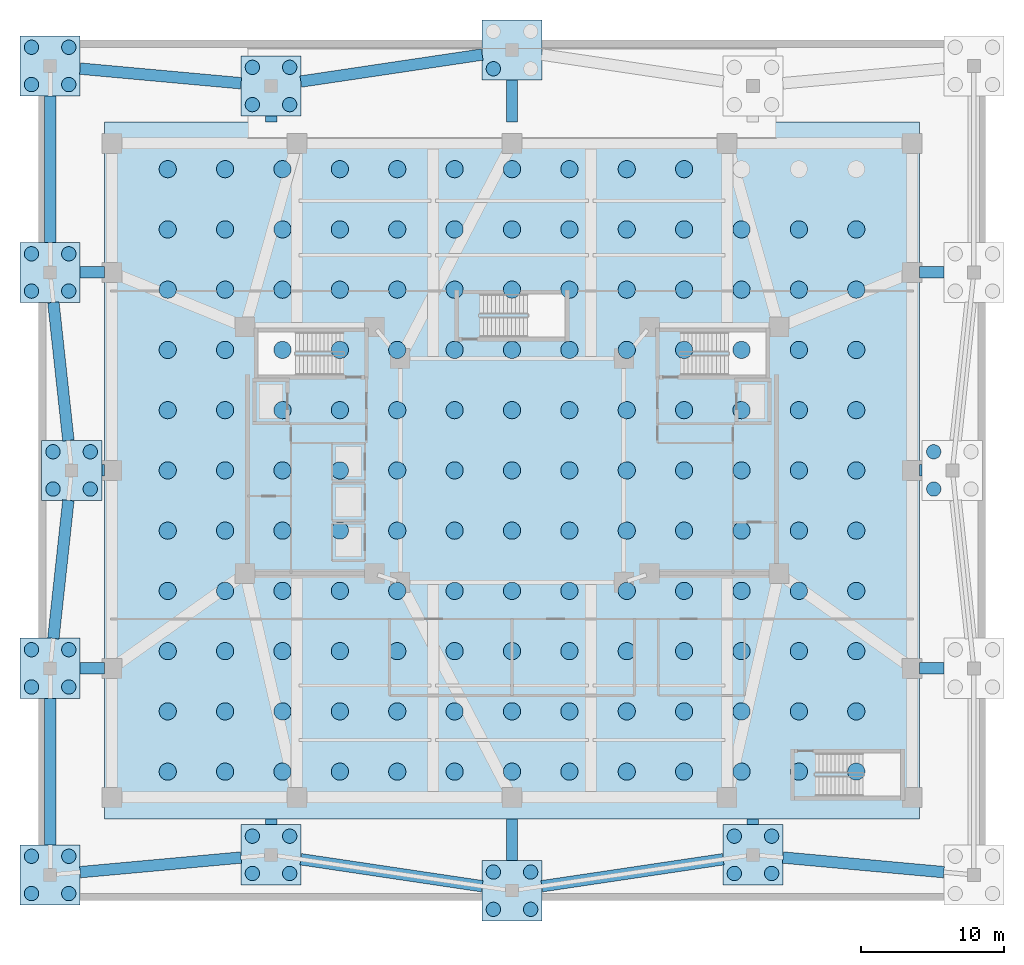
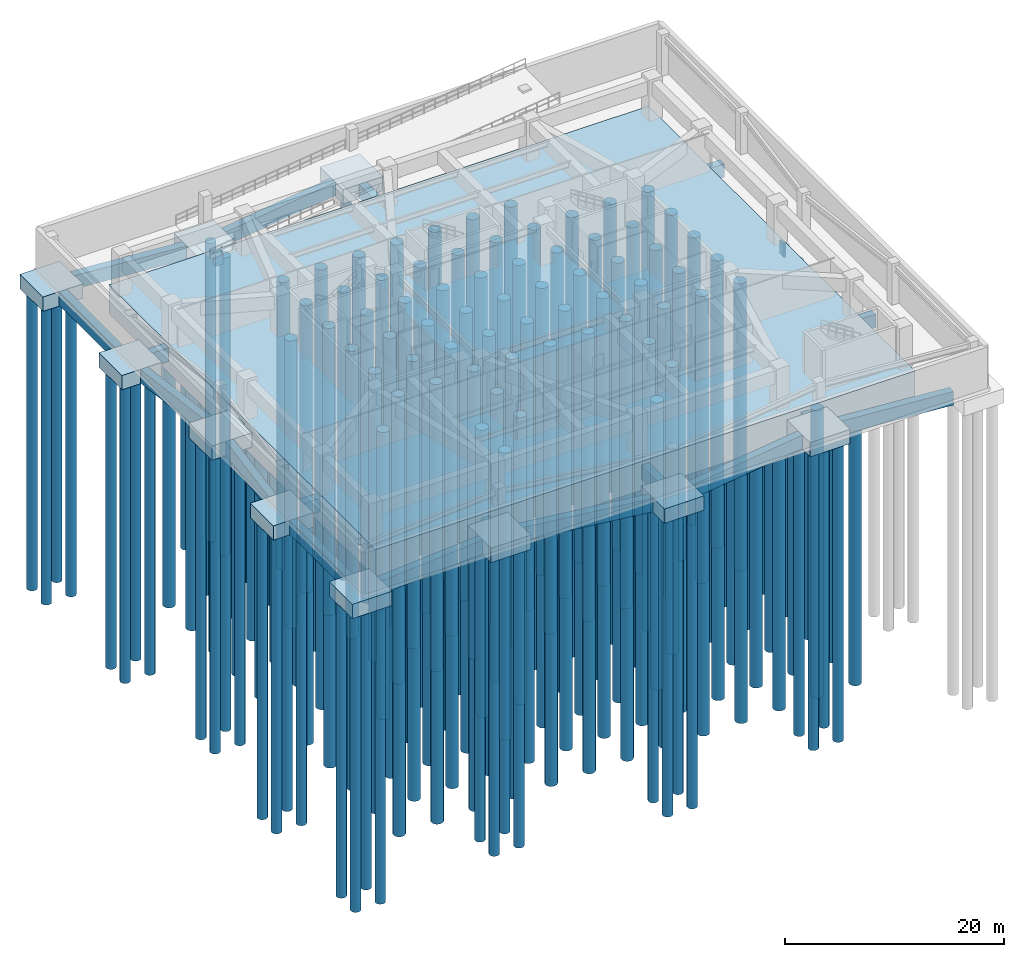
# One storey, part 1 of 9: 179 piles, 32 footings.
"""IFC4 building model written with IfcOpenShell, lengths in metres."""

from ifc_helpers import new_model, si_unit, direction, frame, origin, origin_2d, place, context, subcontext, project, spatial, rectangle, circle, extrude, material, material_profile, profile_set, type_object, element, save


model = new_model("IFC4")

# Units and contexts
model_context = context("Model", 3, precision=1e-05, world=origin(), true_north=direction((0.0, 1.0)))
body_context = subcontext(model_context, "Body", "Model", "MODEL_VIEW")
ifc_project = project(units=[si_unit("LENGTHUNIT", "METRE"), si_unit("AREAUNIT", "SQUARE_METRE"), si_unit("VOLUMEUNIT", "CUBIC_METRE"), si_unit("PLANEANGLEUNIT", "RADIAN"), si_unit("MASSUNIT", "GRAM", prefix="KILO")], contexts=[model_context])

# Site, building, storey
site_placement = place(None, origin())
site = spatial("IfcSite", under=ifc_project, at=site_placement, CompositionType="ELEMENT")
building_placement = place(site_placement, origin())
building = spatial("IfcBuilding", under=site, at=building_placement, Name="Tarnavaz Court Tower", CompositionType="ELEMENT")
storey_placement = place(building_placement, frame((0.0, 0.0, -9.199951171875)))
storey = spatial("IfcBuildingStorey", under=building, at=storey_placement, Name="B02", CompositionType="ELEMENT", Elevation=-9.199951171875)

# Footings
ifc_material = material(Name="Concrete C50/60", Category="concrete")
ifc_material_profile_1 = material_profile(ifc_material, rectangle(XDim=0.800048828125, YDim=1.5, at=origin_2d()), Name="RC 800X1500")
ifc_profile_set_1 = profile_set([ifc_material_profile_1], Name="Concrete C50/60")
footing_type_1 = type_object("IfcFootingType", Name="FT-GB800", PredefinedType="FOOTING_BEAM", material=ifc_profile_set_1)
footing_1_placement = place(storey_placement, frame((-32.199951171875, -26.10009765625, -1.150146484375), z_axis=(0.0, 1.0, 0.0), x_axis=(-1.0, 0.0, 0.0)))
element("IfcFooting", 1, at=footing_1_placement, inside=storey, type_object=footing_type_1, Name="Foundation Tie Beam SW1-W1", PredefinedType="FOOTING_BEAM", context=body_context, shape_type="SweptSolid", body=[
    extrude(rectangle(XDim=0.800048828125, YDim=1.5, at=origin_2d()), origin(), (0.0, 0.0, 1.0), 10.2001953125),
])
for number, where, z_axis, x_axis, name in (
    (2, (-31.972900390625, -11.7119140625, -1.150146484375), (0.108039674332, 0.994146583141, 0.0), (-0.994146583141, 0.108039674332, 0.0), "Foundation Tie Beam W1-W2"),
    (3, (-30.927001953125, 2.087890625, -1.150146484375), (-0.108039674332, 0.994146583141, 0.0), (-0.994146583141, -0.108039674332, 0.0), "Foundation Tie Beam W2-W3"),
):
    element("IfcFooting", number, at=place(storey_placement, frame(where, z_axis=z_axis, x_axis=x_axis)), inside=storey, type_object=footing_type_1, Name=name, PredefinedType="FOOTING_BEAM", context=body_context, shape_type="SweptSolid", body=[
        extrude(rectangle(XDim=0.800048828125, YDim=1.5, at=origin_2d()), origin(), (0.0, 0.0, 1.0), 9.6806640625),
    ])
footing_2_placement = place(storey_placement, frame((-32.199951171875, 15.89990234375, -1.150146484375), z_axis=(0.0, 1.0, 0.0), x_axis=(-1.0, 0.0, 0.0)))
element("IfcFooting", 4, at=footing_2_placement, inside=storey, type_object=footing_type_1, Name="Foundation Tie Beam W3-NW1", PredefinedType="FOOTING_BEAM", context=body_context, shape_type="SweptSolid", body=[
    extrude(rectangle(XDim=0.800048828125, YDim=1.5, at=origin_2d()), origin(), (0.0, 0.0, 1.0), 10.2001953125),
])
footing_3_placement = place(storey_placement, frame((-30.10888671875, -28.010009765625, -1.150146484375), z_axis=(0.995891429693, 0.09055528844, 0.0), x_axis=(-0.09055528844, 0.995891429693, 0.0)))
element("IfcFooting", 5, at=footing_3_placement, inside=storey, type_object=footing_type_1, Name="Foundation Tie Beam SW1-S1", PredefinedType="FOOTING_BEAM", context=body_context, shape_type="SweptSolid", body=[
    extrude(rectangle(XDim=0.800048828125, YDim=1.5, at=origin_2d()), origin(), (0.0, 0.0, 1.0), 11.26416015625),
])
for number, where, z_axis, x_axis, name in (
    (6, (-14.722900390625, -27.10888671875, -1.150146484375), (0.989105741317, -0.147206767825, 0.0), (0.147206767825, 0.989105741317, 0.0), "Foundation Tie Beam S1-S2"),
    (7, (2.076904296875, -28.990966796875, -1.150146484375), (0.989105741317, 0.147206767825, 0.0), (-0.147206767825, 0.989105741317, 0.0), "Foundation Tie Beam S2-S3"),
):
    element("IfcFooting", number, at=place(storey_placement, frame(where, z_axis=z_axis, x_axis=x_axis)), inside=storey, type_object=footing_type_1, Name=name, PredefinedType="FOOTING_BEAM", context=body_context, shape_type="SweptSolid", body=[
        extrude(rectangle(XDim=0.800048828125, YDim=1.5, at=origin_2d()), origin(), (0.0, 0.0, 1.0), 12.785400390625),
    ])
for number, where, z_axis, x_axis, name in (
    (8, (18.89111328125, -26.989990234375, -1.150146484375), (0.995891429693, -0.09055528844, 0.0), (0.09055528844, 0.995891429693, 0.0), "Foundation Tie Beam S3-SE1"),
    (9, (-30.10888671875, 28.010009765625, -1.150146484375), (0.995891429693, -0.09055528844, 0.0), (0.09055528844, 0.995891429693, 0.0), "Foundation Tie Beam NW1-N1"),
):
    element("IfcFooting", number, at=place(storey_placement, frame(where, z_axis=z_axis, x_axis=x_axis)), inside=storey, type_object=footing_type_1, Name=name, PredefinedType="FOOTING_BEAM", context=body_context, shape_type="SweptSolid", body=[
        extrude(rectangle(XDim=0.800048828125, YDim=1.5, at=origin_2d()), origin(), (0.0, 0.0, 1.0), 11.26416015625),
    ])
footing_4_placement = place(storey_placement, frame((-14.722900390625, 27.10888671875, -1.150146484375), z_axis=(0.989105741317, 0.147206767825, 0.0), x_axis=(-0.147206767825, 0.989105741317, 0.0)))
element("IfcFooting", 10, at=footing_4_placement, inside=storey, type_object=footing_type_1, Name="Foundation Tie Beam N1-N2", PredefinedType="FOOTING_BEAM", context=body_context, shape_type="SweptSolid", body=[
    extrude(rectangle(XDim=0.800048828125, YDim=1.5, at=origin_2d()), origin(), (0.0, 0.0, 1.0), 12.785400390625),
])
footing_5_placement = place(storey_placement, frame((-30.10009765625, -13.800048828125, -1.150146484375), z_axis=(1.0, 0.0, 0.0), x_axis=(0.0, 1.0, 0.0)))
element("IfcFooting", 11, at=footing_5_placement, inside=storey, type_object=footing_type_1, Name="Radial Foundation Tie Beam W1", PredefinedType="FOOTING_BEAM", context=body_context, shape_type="SweptSolid", body=[
    extrude(rectangle(XDim=0.800048828125, YDim=1.5, at=origin_2d()), origin(), (0.0, 0.0, 1.0), 1.7001953125),
])
footing_6_placement = place(storey_placement, frame((-28.60009765625, 0.0, -1.150146484375), z_axis=(1.0, 0.0, 0.0), x_axis=(0.0, 1.0, 0.0)))
element("IfcFooting", 12, at=footing_6_placement, inside=storey, type_object=footing_type_1, Name="Radial Foundation Tie Beam W2", PredefinedType="FOOTING_BEAM", context=body_context, shape_type="SweptSolid", body=[
    extrude(rectangle(XDim=0.800048828125, YDim=1.5, at=origin_2d()), origin(), (0.0, 0.0, 1.0), 0.2001953125),
])
for number, where, z_axis, x_axis, name in (
    (13, (-30.10009765625, 13.800048828125, -1.150146484375), (1.0, 0.0, 0.0), (0.0, 1.0, 0.0), "Radial Foundation Tie Beam W3"),
    (14, (28.39990234375, -13.800048828125, -1.150146484375), (1.0, 0.0, 0.0), (0.0, 1.0, 0.0), "Radial Foundation Tie Beam E1"),
):
    element("IfcFooting", number, at=place(storey_placement, frame(where, z_axis=z_axis, x_axis=x_axis)), inside=storey, type_object=footing_type_1, Name=name, PredefinedType="FOOTING_BEAM", context=body_context, shape_type="SweptSolid", body=[
        extrude(rectangle(XDim=0.800048828125, YDim=1.5, at=origin_2d()), origin(), (0.0, 0.0, 1.0), 1.7001953125),
    ])
footing_7_placement = place(storey_placement, frame((28.39990234375, 0.0, -1.150146484375), z_axis=(1.0, 0.0, 0.0), x_axis=(0.0, 1.0, 0.0)))
element("IfcFooting", 15, at=footing_7_placement, inside=storey, type_object=footing_type_1, Name="Radial Foundation Tie Beam E2", PredefinedType="FOOTING_BEAM", context=body_context, shape_type="SweptSolid", body=[
    extrude(rectangle(XDim=0.800048828125, YDim=1.5, at=origin_2d()), origin(), (0.0, 0.0, 1.0), 0.2001953125),
])
footing_8_placement = place(storey_placement, frame((28.39990234375, 13.800048828125, -1.150146484375), z_axis=(1.0, 0.0, 0.0), x_axis=(0.0, 1.0, 0.0)))
element("IfcFooting", 16, at=footing_8_placement, inside=storey, type_object=footing_type_1, Name="Radial Foundation Tie Beam E3", PredefinedType="FOOTING_BEAM", context=body_context, shape_type="SweptSolid", body=[
    extrude(rectangle(XDim=0.800048828125, YDim=1.5, at=origin_2d()), origin(), (0.0, 0.0, 1.0), 1.7001953125),
])
footing_9_placement = place(storey_placement, frame((-16.800048828125, -24.699951171875, -1.150146484375), z_axis=(0.0, 1.0, 0.0), x_axis=(-1.0, 0.0, 0.0)))
element("IfcFooting", 17, at=footing_9_placement, inside=storey, type_object=footing_type_1, Name="Radial Foundation Tie Beam S1", PredefinedType="FOOTING_BEAM", context=body_context, shape_type="SweptSolid", body=[
    extrude(rectangle(XDim=0.800048828125, YDim=1.5, at=origin_2d()), origin(), (0.0, 0.0, 1.0), 0.39990234375),
])
footing_10_placement = place(storey_placement, frame((0.0, -27.199951171875, -1.150146484375), z_axis=(0.0, 1.0, 0.0), x_axis=(-1.0, 0.0, 0.0)))
element("IfcFooting", 18, at=footing_10_placement, inside=storey, type_object=footing_type_1, Name="Radial Foundation Tie Beam S2", PredefinedType="FOOTING_BEAM", context=body_context, shape_type="SweptSolid", body=[
    extrude(rectangle(XDim=0.800048828125, YDim=1.5, at=origin_2d()), origin(), (0.0, 0.0, 1.0), 2.89990234375),
])
for number, where, z_axis, x_axis, name in (
    (19, (16.800048828125, -24.699951171875, -1.150146484375), (0.0, 1.0, 0.0), (-1.0, 0.0, 0.0), "Radial Foundation Tie Beam S3"),
    (20, (-16.800048828125, 24.300048828125, -1.150146484375), (0.0, 1.0, 0.0), (-1.0, 0.0, 0.0), "Radial Foundation Tie Beam N1"),
):
    element("IfcFooting", number, at=place(storey_placement, frame(where, z_axis=z_axis, x_axis=x_axis)), inside=storey, type_object=footing_type_1, Name=name, PredefinedType="FOOTING_BEAM", context=body_context, shape_type="SweptSolid", body=[
        extrude(rectangle(XDim=0.800048828125, YDim=1.5, at=origin_2d()), origin(), (0.0, 0.0, 1.0), 0.39990234375),
    ])
footing_11_placement = place(storey_placement, frame((0.0, 24.300048828125, -1.150146484375), z_axis=(0.0, 1.0, 0.0), x_axis=(-1.0, 0.0, 0.0)))
element("IfcFooting", 21, at=footing_11_placement, inside=storey, type_object=footing_type_1, Name="Radial Foundation Tie Beam N2", PredefinedType="FOOTING_BEAM", context=body_context, shape_type="SweptSolid", body=[
    extrude(rectangle(XDim=0.800048828125, YDim=1.5, at=origin_2d()), origin(), (0.0, 0.0, 1.0), 2.89990234375),
])
footing_type_2 = type_object("IfcFootingType", Name="FT-PC4", PredefinedType="PILE_CAP", material=ifc_material)
for number, where, z_axis, x_axis, name in (
    (22, (-32.199951171875, -28.199951171875, -2.0), (0.0, 0.0, 1.0), (1.0, 0.0, 0.0), "Perimeter Four-Pile Cap SW1"),
    (23, (-32.199951171875, -13.800048828125, -2.0), (0.0, 0.0, 1.0), (1.0, 0.0, 0.0), "Perimeter Four-Pile Cap W1"),
    (24, (-30.699951171875, 0.0, -2.0), (0.0, 0.0, 1.0), (1.0, 0.0, 0.0), "Perimeter Four-Pile Cap W2"),
    (25, (-32.199951171875, 13.800048828125, -2.0), (0.0, 0.0, 1.0), (1.0, 0.0, 0.0), "Perimeter Four-Pile Cap W3"),
    (26, (-32.199951171875, 28.199951171875, -2.0), (0.0, 0.0, 1.0), (1.0, 0.0, 0.0), "Perimeter Four-Pile Cap NW1"),
    (27, (-16.800048828125, -26.800048828125, -2.0), (0.0, 0.0, 1.0), (1.0, 0.0, 0.0), "Perimeter Four-Pile Cap S1"),
    (28, (0.0, -29.300048828125, -2.0), (0.0, 0.0, 1.0), (1.0, 0.0, 0.0), "Perimeter Four-Pile Cap S2"),
    (29, (16.800048828125, -26.800048828125, -2.0), (0.0, 0.0, 1.0), (1.0, 0.0, 0.0), "Perimeter Four-Pile Cap S3"),
    (30, (-16.800048828125, 26.800048828125, -2.0), (0.0, 0.0, 1.0), (1.0, 0.0, 0.0), "Perimeter Four-Pile Cap N1"),
    (31, (0.0, 29.300048828125, -2.0), (0.0, 0.0, 1.0), (1.0, 0.0, 0.0), "Perimeter Four-Pile Cap N2"),
):
    element("IfcFooting", number, at=place(storey_placement, frame(where, z_axis=z_axis, x_axis=x_axis)), inside=storey, type_object=footing_type_2, Name=name, PredefinedType="PILE_CAP", context=body_context, shape_type="SweptSolid", body=[
        extrude(rectangle(XDim=4.199951171875, YDim=4.199951171875, at=origin_2d()), origin(), (0.0, 0.0, 1.0), 1.60009765625),
    ])
footing_type_3 = type_object("IfcFootingType", Name="FT-RAFT", PredefinedType="USERDEFINED", material=ifc_material)
footing_12_placement = place(storey_placement, frame((0.0, 0.0, -3.2001953125), z_axis=(0.0, 0.0, 1.0), x_axis=(1.0, 0.0, 0.0)))
element("IfcFooting", 32, at=footing_12_placement, inside=storey, type_object=footing_type_3, Name="B02 Tower Piled-Raft Mat Foundation", ObjectType="MAT FOUNDATION", PredefinedType="USERDEFINED", context=body_context, shape_type="SweptSolid", body=[
    extrude(rectangle(XDim=56.800048828125, YDim=48.60009765625, at=origin_2d()), origin(), (0.0, 0.0, 1.0), 3.199951171875),
])

# Piles
ifc_material_profile_2 = material_profile(ifc_material, circle(Radius=0.5, at=origin_2d()), Name="PILE D1000")
ifc_profile_set_2 = profile_set([ifc_material_profile_2], Name="Concrete C50/60")
pile_type_1 = type_object("IfcPileType", Name="PL-1000", PredefinedType="BORED", material=ifc_profile_set_2)
for number, where, z_axis, x_axis, name in (
    (33, (-33.5, -29.5, -1.900146484375), (0.0, 0.0, -1.0), (1.0, 0.0, 0.0), "Cap SW1 Bored Pile 1"),
    (34, (-33.5, -26.89990234375, -1.900146484375), (0.0, 0.0, -1.0), (1.0, 0.0, 0.0), "Cap SW1 Bored Pile 2"),
    (35, (-30.89990234375, -29.5, -1.900146484375), (0.0, 0.0, -1.0), (1.0, 0.0, 0.0), "Cap SW1 Bored Pile 3"),
    (36, (-30.89990234375, -26.89990234375, -1.900146484375), (0.0, 0.0, -1.0), (1.0, 0.0, 0.0), "Cap SW1 Bored Pile 4"),
    (37, (-33.5, -15.10009765625, -1.900146484375), (0.0, 0.0, -1.0), (1.0, 0.0, 0.0), "Cap W1 Bored Pile 1"),
    (38, (-33.5, -12.5, -1.900146484375), (0.0, 0.0, -1.0), (1.0, 0.0, 0.0), "Cap W1 Bored Pile 2"),
    (39, (-30.89990234375, -15.10009765625, -1.900146484375), (0.0, 0.0, -1.0), (1.0, 0.0, 0.0), "Cap W1 Bored Pile 3"),
    (40, (-30.89990234375, -12.5, -1.900146484375), (0.0, 0.0, -1.0), (1.0, 0.0, 0.0), "Cap W1 Bored Pile 4"),
    (41, (-32.0, -1.300048828125, -1.900146484375), (0.0, 0.0, -1.0), (1.0, 0.0, 0.0), "Cap W2 Bored Pile 1"),
    (42, (-32.0, 1.300048828125, -1.900146484375), (0.0, 0.0, -1.0), (1.0, 0.0, 0.0), "Cap W2 Bored Pile 2"),
    (43, (-29.39990234375, -1.300048828125, -1.900146484375), (0.0, 0.0, -1.0), (1.0, 0.0, 0.0), "Cap W2 Bored Pile 3"),
    (44, (-29.39990234375, 1.300048828125, -1.900146484375), (0.0, 0.0, -1.0), (1.0, 0.0, 0.0), "Cap W2 Bored Pile 4"),
    (45, (-33.5, 12.5, -1.900146484375), (0.0, 0.0, -1.0), (1.0, 0.0, 0.0), "Cap W3 Bored Pile 1"),
    (46, (-33.5, 15.10009765625, -1.900146484375), (0.0, 0.0, -1.0), (1.0, 0.0, 0.0), "Cap W3 Bored Pile 2"),
    (47, (-30.89990234375, 12.5, -1.900146484375), (0.0, 0.0, -1.0), (1.0, 0.0, 0.0), "Cap W3 Bored Pile 3"),
    (48, (-30.89990234375, 15.10009765625, -1.900146484375), (0.0, 0.0, -1.0), (1.0, 0.0, 0.0), "Cap W3 Bored Pile 4"),
    (49, (-33.5, 26.89990234375, -1.900146484375), (0.0, 0.0, -1.0), (1.0, 0.0, 0.0), "Cap NW1 Bored Pile 1"),
    (50, (-33.5, 29.5, -1.900146484375), (0.0, 0.0, -1.0), (1.0, 0.0, 0.0), "Cap NW1 Bored Pile 2"),
    (51, (-30.89990234375, 26.89990234375, -1.900146484375), (0.0, 0.0, -1.0), (1.0, 0.0, 0.0), "Cap NW1 Bored Pile 3"),
    (52, (-30.89990234375, 29.5, -1.900146484375), (0.0, 0.0, -1.0), (1.0, 0.0, 0.0), "Cap NW1 Bored Pile 4"),
    (53, (29.39990234375, -1.300048828125, -1.900146484375), (0.0, 0.0, -1.0), (1.0, 0.0, 0.0), "Cap E2 Bored Pile 1"),
    (54, (29.39990234375, 1.300048828125, -1.900146484375), (0.0, 0.0, -1.0), (1.0, 0.0, 0.0), "Cap E2 Bored Pile 2"),
    (55, (-18.10009765625, -28.10009765625, -1.900146484375), (0.0, 0.0, -1.0), (1.0, 0.0, 0.0), "Cap S1 Bored Pile 1"),
    (56, (-18.10009765625, -25.5, -1.900146484375), (0.0, 0.0, -1.0), (1.0, 0.0, 0.0), "Cap S1 Bored Pile 2"),
    (57, (-15.5, -28.10009765625, -1.900146484375), (0.0, 0.0, -1.0), (1.0, 0.0, 0.0), "Cap S1 Bored Pile 3"),
    (58, (-15.5, -25.5, -1.900146484375), (0.0, 0.0, -1.0), (1.0, 0.0, 0.0), "Cap S1 Bored Pile 4"),
    (59, (-1.300048828125, -30.60009765625, -1.900146484375), (0.0, 0.0, -1.0), (1.0, 0.0, 0.0), "Cap S2 Bored Pile 1"),
    (60, (-1.300048828125, -28.0, -1.900146484375), (0.0, 0.0, -1.0), (1.0, 0.0, 0.0), "Cap S2 Bored Pile 2"),
    (61, (1.300048828125, -30.60009765625, -1.900146484375), (0.0, 0.0, -1.0), (1.0, 0.0, 0.0), "Cap S2 Bored Pile 3"),
    (62, (1.300048828125, -28.0, -1.900146484375), (0.0, 0.0, -1.0), (1.0, 0.0, 0.0), "Cap S2 Bored Pile 4"),
    (63, (15.5, -28.10009765625, -1.900146484375), (0.0, 0.0, -1.0), (1.0, 0.0, 0.0), "Cap S3 Bored Pile 1"),
    (64, (15.5, -25.5, -1.900146484375), (0.0, 0.0, -1.0), (1.0, 0.0, 0.0), "Cap S3 Bored Pile 2"),
    (65, (18.10009765625, -28.10009765625, -1.900146484375), (0.0, 0.0, -1.0), (1.0, 0.0, 0.0), "Cap S3 Bored Pile 3"),
    (66, (18.10009765625, -25.5, -1.900146484375), (0.0, 0.0, -1.0), (1.0, 0.0, 0.0), "Cap S3 Bored Pile 4"),
    (67, (-18.10009765625, 25.5, -1.900146484375), (0.0, 0.0, -1.0), (1.0, 0.0, 0.0), "Cap N1 Bored Pile 1"),
    (68, (-18.10009765625, 28.10009765625, -1.900146484375), (0.0, 0.0, -1.0), (1.0, 0.0, 0.0), "Cap N1 Bored Pile 2"),
    (69, (-15.5, 25.5, -1.900146484375), (0.0, 0.0, -1.0), (1.0, 0.0, 0.0), "Cap N1 Bored Pile 3"),
    (70, (-15.5, 28.10009765625, -1.900146484375), (0.0, 0.0, -1.0), (1.0, 0.0, 0.0), "Cap N1 Bored Pile 4"),
    (71, (-1.300048828125, 28.0, -1.900146484375), (0.0, 0.0, -1.0), (1.0, 0.0, 0.0), "Cap N2 Bored Pile 1"),
):
    element("IfcPile", number, at=place(storey_placement, frame(where, z_axis=z_axis, x_axis=x_axis)), inside=storey, type_object=pile_type_1, Name=name, PredefinedType="BORED", context=body_context, shape_type="SweptSolid", body=[
        extrude(circle(Radius=0.5, at=origin_2d()), origin(), (0.0, 0.0, 1.0), 33.199951171875),
    ])
ifc_material_profile_3 = material_profile(ifc_material, circle(Radius=0.60009765625, at=origin_2d()), Name="PILE D1200")
ifc_profile_set_3 = profile_set([ifc_material_profile_3], Name="Concrete C50/60")
pile_type_2 = type_object("IfcPileType", Name="PL-1200", PredefinedType="BORED", material=ifc_profile_set_3)
for number, where, z_axis, x_axis, name in (
    (72, (-24.0, -21.0, -3.10009765625), (0.0, 0.0, -1.0), (1.0, 0.0, 0.0), "Tower Raft Bored Pile 001"),
    (73, (-24.0, -16.800048828125, -3.10009765625), (0.0, 0.0, -1.0), (1.0, 0.0, 0.0), "Tower Raft Bored Pile 002"),
    (74, (-24.0, -12.60009765625, -3.10009765625), (0.0, 0.0, -1.0), (1.0, 0.0, 0.0), "Tower Raft Bored Pile 003"),
    (75, (-24.0, -8.39990234375, -3.10009765625), (0.0, 0.0, -1.0), (1.0, 0.0, 0.0), "Tower Raft Bored Pile 004"),
    (76, (-24.0, -4.199951171875, -3.10009765625), (0.0, 0.0, -1.0), (1.0, 0.0, 0.0), "Tower Raft Bored Pile 005"),
    (77, (-24.0, 0.0, -3.10009765625), (0.0, 0.0, -1.0), (1.0, 0.0, 0.0), "Tower Raft Bored Pile 006"),
    (78, (-24.0, 4.199951171875, -3.10009765625), (0.0, 0.0, -1.0), (1.0, 0.0, 0.0), "Tower Raft Bored Pile 007"),
    (79, (-24.0, 8.39990234375, -3.10009765625), (0.0, 0.0, -1.0), (1.0, 0.0, 0.0), "Tower Raft Bored Pile 008"),
    (80, (-24.0, 12.60009765625, -3.10009765625), (0.0, 0.0, -1.0), (1.0, 0.0, 0.0), "Tower Raft Bored Pile 009"),
    (81, (-24.0, 16.800048828125, -3.10009765625), (0.0, 0.0, -1.0), (1.0, 0.0, 0.0), "Tower Raft Bored Pile 010"),
    (82, (-24.0, 21.0, -3.10009765625), (0.0, 0.0, -1.0), (1.0, 0.0, 0.0), "Tower Raft Bored Pile 011"),
    (83, (-20.0, -21.0, -3.10009765625), (0.0, 0.0, -1.0), (1.0, 0.0, 0.0), "Tower Raft Bored Pile 012"),
    (84, (-20.0, -16.800048828125, -3.10009765625), (0.0, 0.0, -1.0), (1.0, 0.0, 0.0), "Tower Raft Bored Pile 013"),
    (85, (-20.0, -12.60009765625, -3.10009765625), (0.0, 0.0, -1.0), (1.0, 0.0, 0.0), "Tower Raft Bored Pile 014"),
    (86, (-20.0, -8.39990234375, -3.10009765625), (0.0, 0.0, -1.0), (1.0, 0.0, 0.0), "Tower Raft Bored Pile 015"),
    (87, (-20.0, -4.199951171875, -3.10009765625), (0.0, 0.0, -1.0), (1.0, 0.0, 0.0), "Tower Raft Bored Pile 016"),
    (88, (-20.0, 0.0, -3.10009765625), (0.0, 0.0, -1.0), (1.0, 0.0, 0.0), "Tower Raft Bored Pile 017"),
    (89, (-20.0, 4.199951171875, -3.10009765625), (0.0, 0.0, -1.0), (1.0, 0.0, 0.0), "Tower Raft Bored Pile 018"),
    (90, (-20.0, 8.39990234375, -3.10009765625), (0.0, 0.0, -1.0), (1.0, 0.0, 0.0), "Tower Raft Bored Pile 019"),
    (91, (-20.0, 12.60009765625, -3.10009765625), (0.0, 0.0, -1.0), (1.0, 0.0, 0.0), "Tower Raft Bored Pile 020"),
    (92, (-20.0, 16.800048828125, -3.10009765625), (0.0, 0.0, -1.0), (1.0, 0.0, 0.0), "Tower Raft Bored Pile 021"),
    (93, (-20.0, 21.0, -3.10009765625), (0.0, 0.0, -1.0), (1.0, 0.0, 0.0), "Tower Raft Bored Pile 022"),
    (94, (-16.0, -21.0, -3.10009765625), (0.0, 0.0, -1.0), (1.0, 0.0, 0.0), "Tower Raft Bored Pile 023"),
    (95, (-16.0, -16.800048828125, -3.10009765625), (0.0, 0.0, -1.0), (1.0, 0.0, 0.0), "Tower Raft Bored Pile 024"),
    (96, (-16.0, -12.60009765625, -3.10009765625), (0.0, 0.0, -1.0), (1.0, 0.0, 0.0), "Tower Raft Bored Pile 025"),
    (97, (-16.0, -8.39990234375, -3.10009765625), (0.0, 0.0, -1.0), (1.0, 0.0, 0.0), "Tower Raft Bored Pile 026"),
    (98, (-16.0, -4.199951171875, -3.10009765625), (0.0, 0.0, -1.0), (1.0, 0.0, 0.0), "Tower Raft Bored Pile 027"),
    (99, (-16.0, 0.0, -3.10009765625), (0.0, 0.0, -1.0), (1.0, 0.0, 0.0), "Tower Raft Bored Pile 028"),
    (100, (-16.0, 4.199951171875, -3.10009765625), (0.0, 0.0, -1.0), (1.0, 0.0, 0.0), "Tower Raft Bored Pile 029"),
    (101, (-16.0, 8.39990234375, -3.10009765625), (0.0, 0.0, -1.0), (1.0, 0.0, 0.0), "Tower Raft Bored Pile 030"),
    (102, (-16.0, 12.60009765625, -3.10009765625), (0.0, 0.0, -1.0), (1.0, 0.0, 0.0), "Tower Raft Bored Pile 031"),
    (103, (-16.0, 16.800048828125, -3.10009765625), (0.0, 0.0, -1.0), (1.0, 0.0, 0.0), "Tower Raft Bored Pile 032"),
    (104, (-16.0, 21.0, -3.10009765625), (0.0, 0.0, -1.0), (1.0, 0.0, 0.0), "Tower Raft Bored Pile 033"),
    (105, (-12.0, -21.0, -3.10009765625), (0.0, 0.0, -1.0), (1.0, 0.0, 0.0), "Tower Raft Bored Pile 034"),
    (106, (-12.0, -16.800048828125, -3.10009765625), (0.0, 0.0, -1.0), (1.0, 0.0, 0.0), "Tower Raft Bored Pile 035"),
    (107, (-12.0, -12.60009765625, -3.10009765625), (0.0, 0.0, -1.0), (1.0, 0.0, 0.0), "Tower Raft Bored Pile 036"),
    (108, (-12.0, -8.39990234375, -3.10009765625), (0.0, 0.0, -1.0), (1.0, 0.0, 0.0), "Tower Raft Bored Pile 037"),
    (109, (-12.0, -4.199951171875, -3.10009765625), (0.0, 0.0, -1.0), (1.0, 0.0, 0.0), "Tower Raft Bored Pile 038"),
    (110, (-12.0, 0.0, -3.10009765625), (0.0, 0.0, -1.0), (1.0, 0.0, 0.0), "Tower Raft Bored Pile 039"),
    (111, (-12.0, 4.199951171875, -3.10009765625), (0.0, 0.0, -1.0), (1.0, 0.0, 0.0), "Tower Raft Bored Pile 040"),
    (112, (-12.0, 8.39990234375, -3.10009765625), (0.0, 0.0, -1.0), (1.0, 0.0, 0.0), "Tower Raft Bored Pile 041"),
    (113, (-12.0, 12.60009765625, -3.10009765625), (0.0, 0.0, -1.0), (1.0, 0.0, 0.0), "Tower Raft Bored Pile 042"),
    (114, (-12.0, 16.800048828125, -3.10009765625), (0.0, 0.0, -1.0), (1.0, 0.0, 0.0), "Tower Raft Bored Pile 043"),
    (115, (-12.0, 21.0, -3.10009765625), (0.0, 0.0, -1.0), (1.0, 0.0, 0.0), "Tower Raft Bored Pile 044"),
    (116, (-8.0, -21.0, -3.10009765625), (0.0, 0.0, -1.0), (1.0, 0.0, 0.0), "Tower Raft Bored Pile 045"),
    (117, (-8.0, -16.800048828125, -3.10009765625), (0.0, 0.0, -1.0), (1.0, 0.0, 0.0), "Tower Raft Bored Pile 046"),
    (118, (-8.0, -12.60009765625, -3.10009765625), (0.0, 0.0, -1.0), (1.0, 0.0, 0.0), "Tower Raft Bored Pile 047"),
    (119, (-8.0, -8.39990234375, -3.10009765625), (0.0, 0.0, -1.0), (1.0, 0.0, 0.0), "Tower Raft Bored Pile 048"),
    (120, (-8.0, -4.199951171875, -3.10009765625), (0.0, 0.0, -1.0), (1.0, 0.0, 0.0), "Tower Raft Bored Pile 049"),
    (121, (-8.0, 0.0, -3.10009765625), (0.0, 0.0, -1.0), (1.0, 0.0, 0.0), "Tower Raft Bored Pile 050"),
    (122, (-8.0, 4.199951171875, -3.10009765625), (0.0, 0.0, -1.0), (1.0, 0.0, 0.0), "Tower Raft Bored Pile 051"),
    (123, (-8.0, 8.39990234375, -3.10009765625), (0.0, 0.0, -1.0), (1.0, 0.0, 0.0), "Tower Raft Bored Pile 052"),
    (124, (-8.0, 12.60009765625, -3.10009765625), (0.0, 0.0, -1.0), (1.0, 0.0, 0.0), "Tower Raft Bored Pile 053"),
    (125, (-8.0, 16.800048828125, -3.10009765625), (0.0, 0.0, -1.0), (1.0, 0.0, 0.0), "Tower Raft Bored Pile 054"),
    (126, (-8.0, 21.0, -3.10009765625), (0.0, 0.0, -1.0), (1.0, 0.0, 0.0), "Tower Raft Bored Pile 055"),
    (127, (-4.0, -21.0, -3.10009765625), (0.0, 0.0, -1.0), (1.0, 0.0, 0.0), "Tower Raft Bored Pile 056"),
    (128, (-4.0, -16.800048828125, -3.10009765625), (0.0, 0.0, -1.0), (1.0, 0.0, 0.0), "Tower Raft Bored Pile 057"),
    (129, (-4.0, -12.60009765625, -3.10009765625), (0.0, 0.0, -1.0), (1.0, 0.0, 0.0), "Tower Raft Bored Pile 058"),
    (130, (-4.0, -8.39990234375, -3.10009765625), (0.0, 0.0, -1.0), (1.0, 0.0, 0.0), "Tower Raft Bored Pile 059"),
    (131, (-4.0, -4.199951171875, -3.10009765625), (0.0, 0.0, -1.0), (1.0, 0.0, 0.0), "Tower Raft Bored Pile 060"),
    (132, (-4.0, 0.0, -3.10009765625), (0.0, 0.0, -1.0), (1.0, 0.0, 0.0), "Tower Raft Bored Pile 061"),
    (133, (-4.0, 4.199951171875, -3.10009765625), (0.0, 0.0, -1.0), (1.0, 0.0, 0.0), "Tower Raft Bored Pile 062"),
    (134, (-4.0, 8.39990234375, -3.10009765625), (0.0, 0.0, -1.0), (1.0, 0.0, 0.0), "Tower Raft Bored Pile 063"),
    (135, (-4.0, 12.60009765625, -3.10009765625), (0.0, 0.0, -1.0), (1.0, 0.0, 0.0), "Tower Raft Bored Pile 064"),
    (136, (-4.0, 16.800048828125, -3.10009765625), (0.0, 0.0, -1.0), (1.0, 0.0, 0.0), "Tower Raft Bored Pile 065"),
    (137, (-4.0, 21.0, -3.10009765625), (0.0, 0.0, -1.0), (1.0, 0.0, 0.0), "Tower Raft Bored Pile 066"),
    (138, (0.0, -21.0, -3.10009765625), (0.0, 0.0, -1.0), (1.0, 0.0, 0.0), "Tower Raft Bored Pile 067"),
    (139, (0.0, -16.800048828125, -3.10009765625), (0.0, 0.0, -1.0), (1.0, 0.0, 0.0), "Tower Raft Bored Pile 068"),
    (140, (0.0, -12.60009765625, -3.10009765625), (0.0, 0.0, -1.0), (1.0, 0.0, 0.0), "Tower Raft Bored Pile 069"),
    (141, (0.0, -8.39990234375, -3.10009765625), (0.0, 0.0, -1.0), (1.0, 0.0, 0.0), "Tower Raft Bored Pile 070"),
    (142, (0.0, -4.199951171875, -3.10009765625), (0.0, 0.0, -1.0), (1.0, 0.0, 0.0), "Tower Raft Bored Pile 071"),
    (143, (0.0, 0.0, -3.10009765625), (0.0, 0.0, -1.0), (1.0, 0.0, 0.0), "Tower Raft Bored Pile 072"),
    (144, (0.0, 4.199951171875, -3.10009765625), (0.0, 0.0, -1.0), (1.0, 0.0, 0.0), "Tower Raft Bored Pile 073"),
    (145, (0.0, 8.39990234375, -3.10009765625), (0.0, 0.0, -1.0), (1.0, 0.0, 0.0), "Tower Raft Bored Pile 074"),
    (146, (0.0, 12.60009765625, -3.10009765625), (0.0, 0.0, -1.0), (1.0, 0.0, 0.0), "Tower Raft Bored Pile 075"),
    (147, (0.0, 16.800048828125, -3.10009765625), (0.0, 0.0, -1.0), (1.0, 0.0, 0.0), "Tower Raft Bored Pile 076"),
    (148, (0.0, 21.0, -3.10009765625), (0.0, 0.0, -1.0), (1.0, 0.0, 0.0), "Tower Raft Bored Pile 077"),
    (149, (4.0, -21.0, -3.10009765625), (0.0, 0.0, -1.0), (1.0, 0.0, 0.0), "Tower Raft Bored Pile 078"),
    (150, (4.0, -16.800048828125, -3.10009765625), (0.0, 0.0, -1.0), (1.0, 0.0, 0.0), "Tower Raft Bored Pile 079"),
    (151, (4.0, -12.60009765625, -3.10009765625), (0.0, 0.0, -1.0), (1.0, 0.0, 0.0), "Tower Raft Bored Pile 080"),
    (152, (4.0, -8.39990234375, -3.10009765625), (0.0, 0.0, -1.0), (1.0, 0.0, 0.0), "Tower Raft Bored Pile 081"),
    (153, (4.0, -4.199951171875, -3.10009765625), (0.0, 0.0, -1.0), (1.0, 0.0, 0.0), "Tower Raft Bored Pile 082"),
    (154, (4.0, 0.0, -3.10009765625), (0.0, 0.0, -1.0), (1.0, 0.0, 0.0), "Tower Raft Bored Pile 083"),
    (155, (4.0, 4.199951171875, -3.10009765625), (0.0, 0.0, -1.0), (1.0, 0.0, 0.0), "Tower Raft Bored Pile 084"),
    (156, (4.0, 8.39990234375, -3.10009765625), (0.0, 0.0, -1.0), (1.0, 0.0, 0.0), "Tower Raft Bored Pile 085"),
    (157, (4.0, 12.60009765625, -3.10009765625), (0.0, 0.0, -1.0), (1.0, 0.0, 0.0), "Tower Raft Bored Pile 086"),
    (158, (4.0, 16.800048828125, -3.10009765625), (0.0, 0.0, -1.0), (1.0, 0.0, 0.0), "Tower Raft Bored Pile 087"),
    (159, (4.0, 21.0, -3.10009765625), (0.0, 0.0, -1.0), (1.0, 0.0, 0.0), "Tower Raft Bored Pile 088"),
    (160, (8.0, -21.0, -3.10009765625), (0.0, 0.0, -1.0), (1.0, 0.0, 0.0), "Tower Raft Bored Pile 089"),
    (161, (8.0, -16.800048828125, -3.10009765625), (0.0, 0.0, -1.0), (1.0, 0.0, 0.0), "Tower Raft Bored Pile 090"),
    (162, (8.0, -12.60009765625, -3.10009765625), (0.0, 0.0, -1.0), (1.0, 0.0, 0.0), "Tower Raft Bored Pile 091"),
    (163, (8.0, -8.39990234375, -3.10009765625), (0.0, 0.0, -1.0), (1.0, 0.0, 0.0), "Tower Raft Bored Pile 092"),
    (164, (8.0, -4.199951171875, -3.10009765625), (0.0, 0.0, -1.0), (1.0, 0.0, 0.0), "Tower Raft Bored Pile 093"),
    (165, (8.0, 0.0, -3.10009765625), (0.0, 0.0, -1.0), (1.0, 0.0, 0.0), "Tower Raft Bored Pile 094"),
    (166, (8.0, 4.199951171875, -3.10009765625), (0.0, 0.0, -1.0), (1.0, 0.0, 0.0), "Tower Raft Bored Pile 095"),
    (167, (8.0, 8.39990234375, -3.10009765625), (0.0, 0.0, -1.0), (1.0, 0.0, 0.0), "Tower Raft Bored Pile 096"),
    (168, (8.0, 12.60009765625, -3.10009765625), (0.0, 0.0, -1.0), (1.0, 0.0, 0.0), "Tower Raft Bored Pile 097"),
    (169, (8.0, 16.800048828125, -3.10009765625), (0.0, 0.0, -1.0), (1.0, 0.0, 0.0), "Tower Raft Bored Pile 098"),
    (170, (8.0, 21.0, -3.10009765625), (0.0, 0.0, -1.0), (1.0, 0.0, 0.0), "Tower Raft Bored Pile 099"),
    (171, (12.0, -21.0, -3.10009765625), (0.0, 0.0, -1.0), (1.0, 0.0, 0.0), "Tower Raft Bored Pile 100"),
    (172, (12.0, -16.800048828125, -3.10009765625), (0.0, 0.0, -1.0), (1.0, 0.0, 0.0), "Tower Raft Bored Pile 101"),
    (173, (12.0, -12.60009765625, -3.10009765625), (0.0, 0.0, -1.0), (1.0, 0.0, 0.0), "Tower Raft Bored Pile 102"),
    (174, (12.0, -8.39990234375, -3.10009765625), (0.0, 0.0, -1.0), (1.0, 0.0, 0.0), "Tower Raft Bored Pile 103"),
    (175, (12.0, -4.199951171875, -3.10009765625), (0.0, 0.0, -1.0), (1.0, 0.0, 0.0), "Tower Raft Bored Pile 104"),
    (176, (12.0, 0.0, -3.10009765625), (0.0, 0.0, -1.0), (1.0, 0.0, 0.0), "Tower Raft Bored Pile 105"),
    (177, (12.0, 4.199951171875, -3.10009765625), (0.0, 0.0, -1.0), (1.0, 0.0, 0.0), "Tower Raft Bored Pile 106"),
    (178, (12.0, 8.39990234375, -3.10009765625), (0.0, 0.0, -1.0), (1.0, 0.0, 0.0), "Tower Raft Bored Pile 107"),
    (179, (12.0, 12.60009765625, -3.10009765625), (0.0, 0.0, -1.0), (1.0, 0.0, 0.0), "Tower Raft Bored Pile 108"),
    (180, (12.0, 16.800048828125, -3.10009765625), (0.0, 0.0, -1.0), (1.0, 0.0, 0.0), "Tower Raft Bored Pile 109"),
    (181, (12.0, 21.0, -3.10009765625), (0.0, 0.0, -1.0), (1.0, 0.0, 0.0), "Tower Raft Bored Pile 110"),
    (182, (16.0, -21.0, -3.10009765625), (0.0, 0.0, -1.0), (1.0, 0.0, 0.0), "Tower Raft Bored Pile 111"),
    (183, (16.0, -16.800048828125, -3.10009765625), (0.0, 0.0, -1.0), (1.0, 0.0, 0.0), "Tower Raft Bored Pile 112"),
    (184, (16.0, -12.60009765625, -3.10009765625), (0.0, 0.0, -1.0), (1.0, 0.0, 0.0), "Tower Raft Bored Pile 113"),
    (185, (16.0, -8.39990234375, -3.10009765625), (0.0, 0.0, -1.0), (1.0, 0.0, 0.0), "Tower Raft Bored Pile 114"),
    (186, (16.0, -4.199951171875, -3.10009765625), (0.0, 0.0, -1.0), (1.0, 0.0, 0.0), "Tower Raft Bored Pile 115"),
    (187, (16.0, 0.0, -3.10009765625), (0.0, 0.0, -1.0), (1.0, 0.0, 0.0), "Tower Raft Bored Pile 116"),
    (188, (16.0, 4.199951171875, -3.10009765625), (0.0, 0.0, -1.0), (1.0, 0.0, 0.0), "Tower Raft Bored Pile 117"),
    (189, (16.0, 8.39990234375, -3.10009765625), (0.0, 0.0, -1.0), (1.0, 0.0, 0.0), "Tower Raft Bored Pile 118"),
    (190, (16.0, 12.60009765625, -3.10009765625), (0.0, 0.0, -1.0), (1.0, 0.0, 0.0), "Tower Raft Bored Pile 119"),
    (191, (16.0, 16.800048828125, -3.10009765625), (0.0, 0.0, -1.0), (1.0, 0.0, 0.0), "Tower Raft Bored Pile 120"),
    (192, (20.0, -21.0, -3.10009765625), (0.0, 0.0, -1.0), (1.0, 0.0, 0.0), "Tower Raft Bored Pile 122"),
    (193, (20.0, -16.800048828125, -3.10009765625), (0.0, 0.0, -1.0), (1.0, 0.0, 0.0), "Tower Raft Bored Pile 123"),
    (194, (20.0, -12.60009765625, -3.10009765625), (0.0, 0.0, -1.0), (1.0, 0.0, 0.0), "Tower Raft Bored Pile 124"),
    (195, (20.0, -8.39990234375, -3.10009765625), (0.0, 0.0, -1.0), (1.0, 0.0, 0.0), "Tower Raft Bored Pile 125"),
    (196, (20.0, -4.199951171875, -3.10009765625), (0.0, 0.0, -1.0), (1.0, 0.0, 0.0), "Tower Raft Bored Pile 126"),
    (197, (20.0, 0.0, -3.10009765625), (0.0, 0.0, -1.0), (1.0, 0.0, 0.0), "Tower Raft Bored Pile 127"),
    (198, (20.0, 4.199951171875, -3.10009765625), (0.0, 0.0, -1.0), (1.0, 0.0, 0.0), "Tower Raft Bored Pile 128"),
    (199, (20.0, 8.39990234375, -3.10009765625), (0.0, 0.0, -1.0), (1.0, 0.0, 0.0), "Tower Raft Bored Pile 129"),
    (200, (20.0, 12.60009765625, -3.10009765625), (0.0, 0.0, -1.0), (1.0, 0.0, 0.0), "Tower Raft Bored Pile 130"),
    (201, (20.0, 16.800048828125, -3.10009765625), (0.0, 0.0, -1.0), (1.0, 0.0, 0.0), "Tower Raft Bored Pile 131"),
    (202, (24.0, -21.0, -3.10009765625), (0.0, 0.0, -1.0), (1.0, 0.0, 0.0), "Tower Raft Bored Pile 133"),
    (203, (24.0, -16.800048828125, -3.10009765625), (0.0, 0.0, -1.0), (1.0, 0.0, 0.0), "Tower Raft Bored Pile 134"),
    (204, (24.0, -12.60009765625, -3.10009765625), (0.0, 0.0, -1.0), (1.0, 0.0, 0.0), "Tower Raft Bored Pile 135"),
    (205, (24.0, -8.39990234375, -3.10009765625), (0.0, 0.0, -1.0), (1.0, 0.0, 0.0), "Tower Raft Bored Pile 136"),
    (206, (24.0, -4.199951171875, -3.10009765625), (0.0, 0.0, -1.0), (1.0, 0.0, 0.0), "Tower Raft Bored Pile 137"),
    (207, (24.0, 0.0, -3.10009765625), (0.0, 0.0, -1.0), (1.0, 0.0, 0.0), "Tower Raft Bored Pile 138"),
    (208, (24.0, 4.199951171875, -3.10009765625), (0.0, 0.0, -1.0), (1.0, 0.0, 0.0), "Tower Raft Bored Pile 139"),
    (209, (24.0, 8.39990234375, -3.10009765625), (0.0, 0.0, -1.0), (1.0, 0.0, 0.0), "Tower Raft Bored Pile 140"),
    (210, (24.0, 12.60009765625, -3.10009765625), (0.0, 0.0, -1.0), (1.0, 0.0, 0.0), "Tower Raft Bored Pile 141"),
    (211, (24.0, 16.800048828125, -3.10009765625), (0.0, 0.0, -1.0), (1.0, 0.0, 0.0), "Tower Raft Bored Pile 142"),
):
    element("IfcPile", number, at=place(storey_placement, frame(where, z_axis=z_axis, x_axis=x_axis)), inside=storey, type_object=pile_type_2, Name=name, PredefinedType="BORED", context=body_context, shape_type="SweptSolid", body=[
        extrude(circle(Radius=0.60009765625, at=origin_2d()), origin(), (0.0, 0.0, 1.0), 32.0),
    ])

save(model, "model.ifc")
